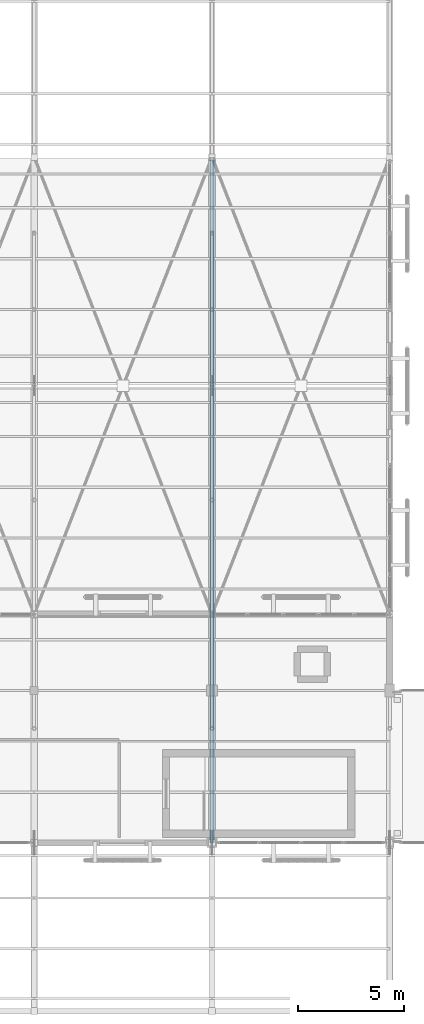
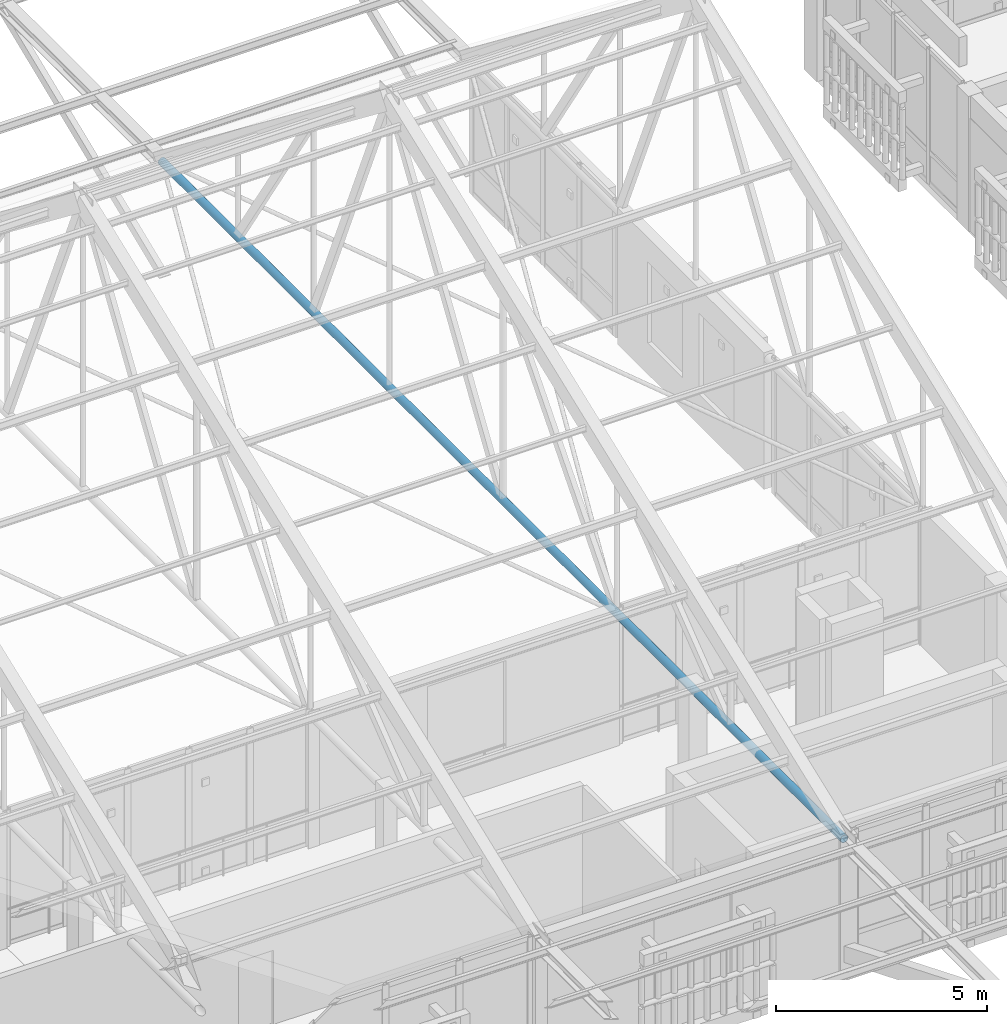
# One storey, part 105 of 217: 1 member.
"""IFC4 building model written with IfcOpenShell, lengths in metres."""

from ifc_helpers import new_model, si_unit, direction, frame, origin, origin_2d, place, context, subcontext, project, spatial, hollow_circle, extrude, material, material_profile, profile_set, type_object, element, save


model = new_model("IFC4")

# Units and contexts
model_context = context("Model", 3, precision=1e-05, world=origin(), true_north=direction((0.0, 1.0)))
body_context = subcontext(model_context, "Body", "Model", "MODEL_VIEW")
ifc_project = project(units=[si_unit("LENGTHUNIT", "METRE"), si_unit("AREAUNIT", "SQUARE_METRE"), si_unit("VOLUMEUNIT", "CUBIC_METRE"), si_unit("PLANEANGLEUNIT", "RADIAN"), si_unit("MASSUNIT", "GRAM", prefix="KILO")], contexts=[model_context])

# Site, building, storey
site_placement = place(None, origin())
site = spatial("IfcSite", under=ifc_project, at=site_placement, CompositionType="ELEMENT")
building_placement = place(site_placement, origin())
building = spatial("IfcBuilding", under=site, at=building_placement, Name="Mazaris Harbour Polytechnic", CompositionType="ELEMENT")
storey_placement = place(building_placement, frame((0.0, 0.0, 9.60009765625)))
storey = spatial("IfcBuildingStorey", under=building, at=storey_placement, Name="L02", CompositionType="ELEMENT", Elevation=9.60009765625)

# Member
ifc_material = material(Name="Steel S355", Category="steel")
ifc_material_profile = material_profile(ifc_material, hollow_circle(Radius=0.109619140625, WallThickness=0.010009765625, at=origin_2d()), Name="CHS 219.1x10.0")
ifc_profile_set = profile_set([ifc_material_profile], Name="Steel S355")
member_type = type_object("IfcMemberType", Name="Steel Tie Chord CHS219", PredefinedType="CHORD", material=ifc_profile_set)
member_placement = place(storey_placement, frame((104.39990234375, 75.60009765625, 3.75), z_axis=(0.0, 1.0, 0.0), x_axis=(-1.0, 0.0, 0.0)))
element("IfcMember", 1, at=member_placement, inside=storey, type_object=member_type, Name="Truss 7 Continuous Tie Chord", PredefinedType="CHORD", context=body_context, shape_type="SweptSolid", body=[
    extrude(hollow_circle(Radius=0.109619140625, WallThickness=0.010009765625, at=origin_2d()), origin(), (0.0, 0.0, 1.0), 32.39990234375),
])

save(model, "model.ifc")
